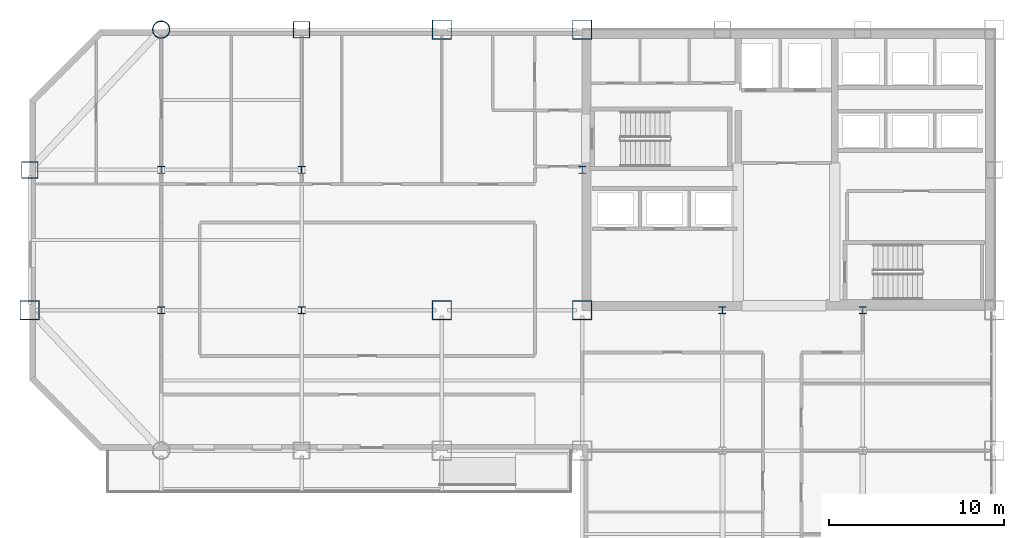
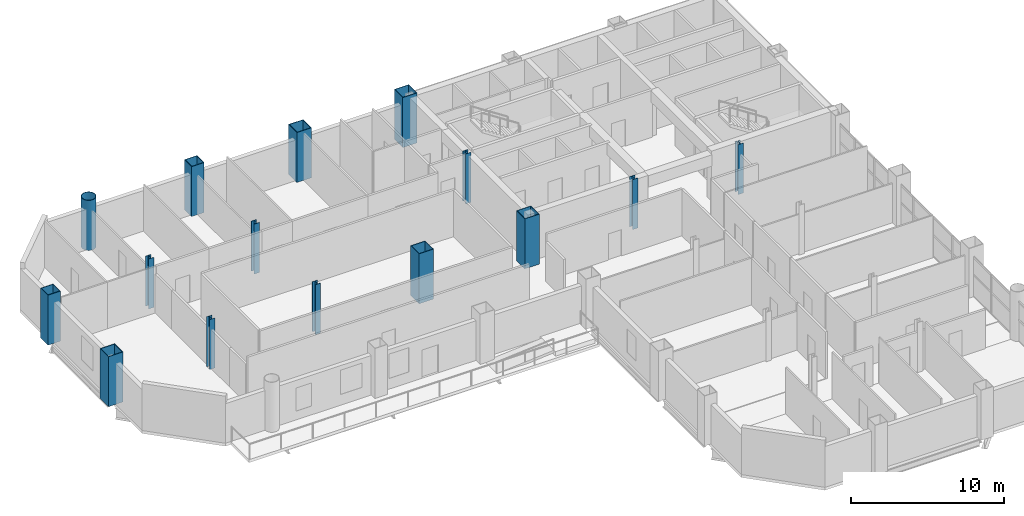
# One storey, part 3 of 16: 15 columns.
"""IFC4 building model written with IfcOpenShell, lengths in metres."""

from ifc_helpers import new_model, si_unit, direction, frame, origin, origin_2d, place, context, subcontext, project, spatial, hollow_rectangle, hollow_circle, i_section, extrude, material, material_profile, profile_set, type_object, element, save


model = new_model("IFC4")

# Units and contexts
model_context = context("Model", 3, precision=1e-05, world=origin(), true_north=direction((0.0, 1.0)))
body_context = subcontext(model_context, "Body", "Model", "MODEL_VIEW")
ifc_project = project(units=[si_unit("LENGTHUNIT", "METRE"), si_unit("AREAUNIT", "SQUARE_METRE"), si_unit("VOLUMEUNIT", "CUBIC_METRE"), si_unit("PLANEANGLEUNIT", "RADIAN"), si_unit("MASSUNIT", "GRAM", prefix="KILO")], contexts=[model_context])

# Site, building, storey
site_placement = place(None, origin())
site = spatial("IfcSite", under=ifc_project, at=site_placement, CompositionType="ELEMENT")
building_placement = place(site_placement, origin())
building = spatial("IfcBuilding", under=site, at=building_placement, Name="Qianrong Seaharbour Tower", CompositionType="ELEMENT")
storey_placement = place(building_placement, frame((0.0, 0.0, 123.0)))
storey = spatial("IfcBuildingStorey", under=building, at=storey_placement, Name="L29", CompositionType="ELEMENT", Elevation=123.0)

# Columns
ifc_material = material(Name="Structural steel SN490B", Category="steel")
ifc_material_profile_1 = material_profile(ifc_material, hollow_rectangle(XDim=1.10009765625, YDim=1.10009765625, WallThickness=0.0400390625, at=origin_2d()), Name="BOX1100x1100x40")
ifc_profile_set_1 = profile_set([ifc_material_profile_1], Name="Structural steel SN490B")
column_type_1 = type_object("IfcColumnType", Name="COL-CFT-1100", PredefinedType="COLUMN", material=ifc_profile_set_1)
for number, where, z_axis, x_axis, name in (
    (1, (9.0, 36.0, 0.0), (0.0, 0.0, 1.0), (1.0, 0.0, 0.0), "L29 Column MC-3 at G2/GF"),
    (2, (32.5, 36.0, 0.0), (0.0, 0.0, 1.0), (1.0, 0.0, 0.0), "L29 Column MC-3 at G5/GF"),
    (3, (32.5, 52.0, 0.0), (0.0, 0.0, 1.0), (1.0, 0.0, 0.0), "L29 Column MC-3 at G5/GH"),
    (4, (40.5, 36.0, 0.0), (0.0, 0.0, 1.0), (1.0, 0.0, 0.0), "L29 Column MC-3 at G6/GF"),
    (5, (40.5, 52.0, 0.0), (0.0, 0.0, 1.0), (1.0, 0.0, 0.0), "L29 Column MC-3 at G6/GH"),
):
    element("IfcColumn", number, at=place(storey_placement, frame(where, z_axis=z_axis, x_axis=x_axis)), inside=storey, type_object=column_type_1, Name=name, PredefinedType="COLUMN", context=body_context, shape_type="SweptSolid", body=[
        extrude(hollow_rectangle(XDim=1.10009765625, YDim=1.10009765625, WallThickness=0.0400390625, at=origin_2d()), origin(), (0.0, 0.0, 1.0), 4.0),
    ])
ifc_material_profile_2 = material_profile(ifc_material, hollow_circle(Radius=0.5, WallThickness=0.035888671875, at=origin_2d()), Name="CHS1000x36")
ifc_profile_set_2 = profile_set([ifc_material_profile_2], Name="Structural steel SN490B")
column_type_2 = type_object("IfcColumnType", Name="COL-CHS-1000", PredefinedType="COLUMN", material=ifc_profile_set_2)
column_placement = place(storey_placement, frame((16.5, 52.0, 0.0), z_axis=(0.0, 0.0, 1.0), x_axis=(1.0, 0.0, 0.0)))
element("IfcColumn", 6, at=column_placement, inside=storey, type_object=column_type_2, Name="L29 Column CC-2 at G3/GH", PredefinedType="COLUMN", context=body_context, shape_type="SweptSolid", body=[
    extrude(hollow_circle(Radius=0.5, WallThickness=0.035888671875, at=origin_2d()), origin(), (0.0, 0.0, 1.0), 4.0),
])
ifc_material_profile_3 = material_profile(ifc_material, i_section(OverallWidth=0.39990234375, OverallDepth=0.39990234375, WebThickness=0.012939453125, FlangeThickness=0.02099609375, FilletRadius=0.02197265625, at=origin_2d()), Name="H400x400x13x21")
ifc_profile_set_3 = profile_set([ifc_material_profile_3], Name="Structural steel SN490B")
column_type_3 = type_object("IfcColumnType", Name="COL-INT-H400", PredefinedType="COLUMN", material=ifc_profile_set_3)
for number, where, z_axis, x_axis, name in (
    (7, (16.5, 36.0, 0.0), (0.0, 0.0, 1.0), (1.0, 0.0, 0.0), "L29 Column IC-3 at G3/GF"),
    (8, (16.5, 44.0, 0.0), (0.0, 0.0, 1.0), (1.0, 0.0, 0.0), "L29 Column IC-3 at G3/GG"),
    (9, (24.5, 36.0, 0.0), (0.0, 0.0, 1.0), (1.0, 0.0, 0.0), "L29 Column IC-3 at G4/GF"),
    (10, (24.5, 44.0, 0.0), (0.0, 0.0, 1.0), (1.0, 0.0, 0.0), "L29 Column IC-3 at G4/GG"),
    (11, (40.5, 44.0, 0.0), (0.0, 0.0, 1.0), (1.0, 0.0, 0.0), "L29 Column IC-3 at G6/GG"),
    (12, (48.5, 36.0, 0.0), (0.0, 0.0, 1.0), (1.0, 0.0, 0.0), "L29 Column IC-3 at G7/GF"),
    (13, (56.5, 36.0, 0.0), (0.0, 0.0, 1.0), (1.0, 0.0, 0.0), "L29 Column IC-3 at G8/GF"),
):
    element("IfcColumn", number, at=place(storey_placement, frame(where, z_axis=z_axis, x_axis=x_axis)), inside=storey, type_object=column_type_3, Name=name, PredefinedType="COLUMN", context=body_context, shape_type="SweptSolid", body=[
        extrude(i_section(OverallWidth=0.39990234375, OverallDepth=0.39990234375, WebThickness=0.012939453125, FlangeThickness=0.02099609375, FilletRadius=0.02197265625, at=origin_2d()), origin(), (0.0, 0.0, 1.0), 4.0),
    ])
ifc_material_profile_4 = material_profile(ifc_material, hollow_rectangle(XDim=0.949951171875, YDim=0.949951171875, WallThickness=0.035888671875, at=origin_2d()), Name="BOX950x950x36")
ifc_profile_set_4 = profile_set([ifc_material_profile_4], Name="Structural steel SN490B")
column_type_4 = type_object("IfcColumnType", Name="COL-PER-950", PredefinedType="COLUMN", material=ifc_profile_set_4)
for number, where, z_axis, x_axis, name in (
    (14, (9.0, 44.0, 0.0), (0.0, 0.0, 1.0), (1.0, 0.0, 0.0), "L29 Column PC-2 at G2/GG"),
    (15, (24.5, 52.0, 0.0), (0.0, 0.0, 1.0), (1.0, 0.0, 0.0), "L29 Column PC-2 at G4/GH"),
):
    element("IfcColumn", number, at=place(storey_placement, frame(where, z_axis=z_axis, x_axis=x_axis)), inside=storey, type_object=column_type_4, Name=name, PredefinedType="COLUMN", context=body_context, shape_type="SweptSolid", body=[
        extrude(hollow_rectangle(XDim=0.949951171875, YDim=0.949951171875, WallThickness=0.035888671875, at=origin_2d()), origin(), (0.0, 0.0, 1.0), 4.0),
    ])

save(model, "model.ifc")
